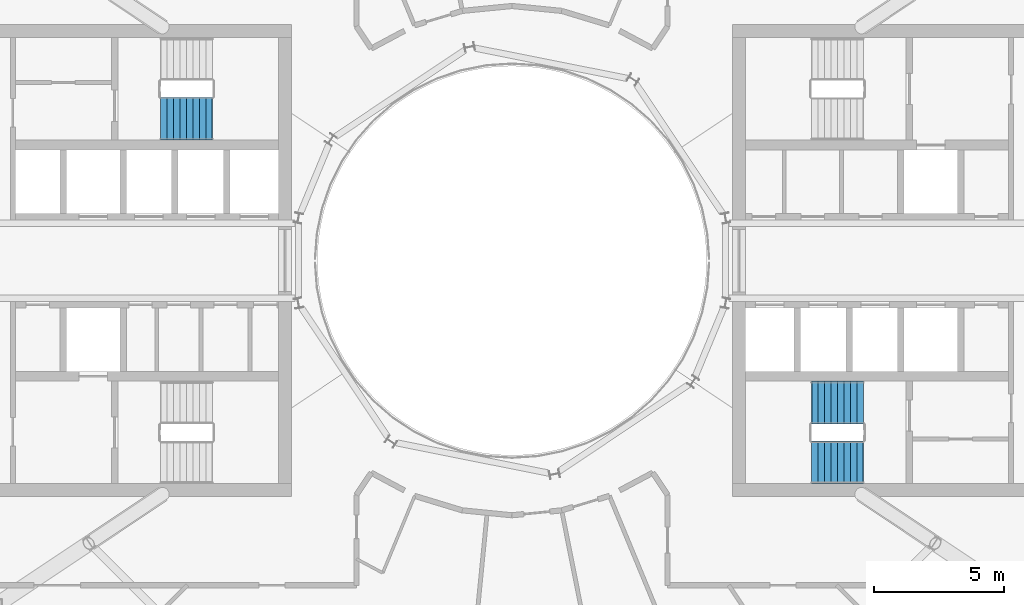
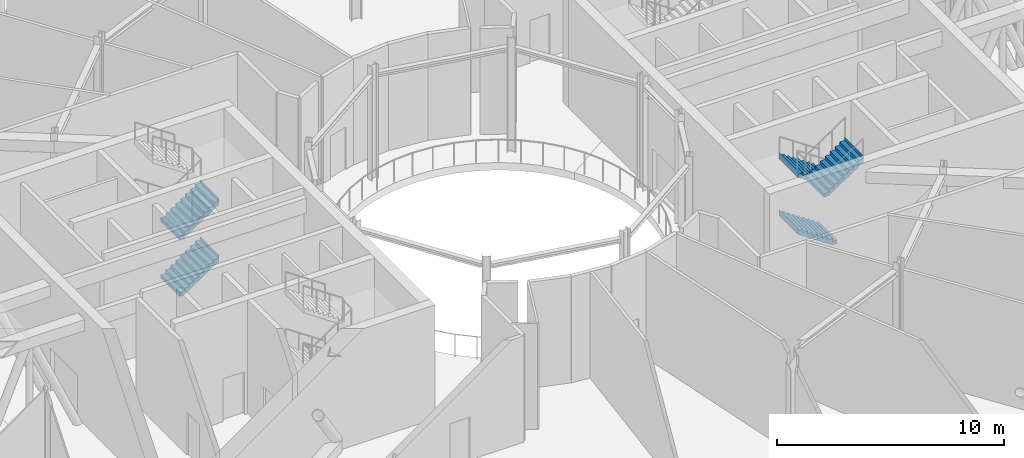
# One storey, part 17 of 24: 5 stair flights, 2 elements without a shape of their own.
"""IFC4 building model written with IfcOpenShell, lengths in metres."""

from ifc_helpers import new_model, si_unit, direction, frame, origin, place, context, subcontext, project, spatial, triangles, material, type_object, element, aggregate, save


model = new_model("IFC4")

# Units and contexts
model_context = context("Model", 3, precision=1e-05, world=origin(), true_north=direction((0.0, 1.0)))
body_context = subcontext(model_context, "Body", "Model", "MODEL_VIEW")
ifc_project = project(units=[si_unit("LENGTHUNIT", "METRE"), si_unit("AREAUNIT", "SQUARE_METRE"), si_unit("VOLUMEUNIT", "CUBIC_METRE"), si_unit("PLANEANGLEUNIT", "RADIAN"), si_unit("MASSUNIT", "GRAM", prefix="KILO")], contexts=[model_context])

# Site, building, storey
site_placement = place(None, origin())
site = spatial("IfcSite", under=ifc_project, at=site_placement, CompositionType="ELEMENT")
building_placement = place(site_placement, origin())
building = spatial("IfcBuilding", under=site, at=building_placement, Name="Maasbend Ring Residences", CompositionType="ELEMENT")
storey_placement = place(building_placement, frame((0.0, 0.0, 179.89990234375)))
storey = spatial("IfcBuildingStorey", under=building, at=storey_placement, Name="L52", CompositionType="ELEMENT", Elevation=179.89990234375)

# Stair, stair flights
ifc_material_1 = material(Name="Concrete C40/50", Category="concrete")
stair_type = type_object("IfcStairType", Name="CORE STAIR 36 RISERS", PredefinedType="HALF_TURN_STAIR", material=ifc_material_1)
stair_1_placement = place(storey_placement, origin())
stair_1 = element("IfcStair", 1, at=stair_1_placement, inside=storey, type_object=stair_type, Name="L52 Exit stair ST-E2", PredefinedType="HALF_TURN_STAIR")
ifc_material_2 = material(Name="Concrete C40/50", Category="concrete")
stair_flight_type = type_object("IfcStairFlightType", Name="CORE STAIR FLIGHT 1650", PredefinedType="STRAIGHT", material=ifc_material_2)
stair_flight_1_placement = place(storey_placement, frame((13.550048828125, -5.47509765625, 0.0), z_axis=(0.0, 0.0, 1.0), x_axis=(-1.0, 0.0, 0.0)))
stair_flight_1 = element("IfcStairFlight", 2, at=stair_flight_1_placement, type_object=stair_flight_type, Name="ST-E2 flight 1", NumberOfRisers=9, NumberOfTreads=8, PredefinedType="STRAIGHT", RiserHeight=0.169444444, TreadLength=0.25, context=body_context, shape_type="Tessellation", body=[
    triangles([(0.24072265625, 0.824951171875, -0.02001953125), (2.0029296875, 0.824951171875, 1.174560546875), (2.0029296875, 0.824951171875, 1.52490234375), (1.989990234375, 0.824951171875, 1.35546875), (1.75, 0.824951171875, 1.35546875), (1.75, 0.824951171875, 1.18603515625), (1.5, 0.824951171875, 1.18603515625), (1.5, 0.824951171875, 1.0166015625), (1.25, 0.824951171875, 1.0166015625), (1.25, 0.824951171875, 0.84716796875), (1.0, 0.824951171875, 0.84716796875), (1.0, 0.824951171875, 0.677734375), (0.75, 0.824951171875, 0.677734375), (0.75, 0.824951171875, 0.50830078125), (0.5, 0.824951171875, 0.50830078125), (0.5, 0.824951171875, 0.3388671875), (0.25, 0.824951171875, 0.3388671875), (0.25, 0.824951171875, 0.16943359375), (0.0, 0.824951171875, 0.16943359375), (0.0, 0.824951171875, 0.0), (-0.0029296875, 0.824951171875, 0.0), (-0.0029296875, 0.824951171875, -0.02001953125), (0.24072265625, 0.27490234375, -0.02001953125), (2.0029296875, 0.27490234375, 1.174560546875), (2.0029296875, 0.27490234375, 1.52490234375), (1.989990234375, 0.27490234375, 1.35546875), (1.75, 0.27490234375, 1.35546875), (1.75, 0.27490234375, 1.18603515625), (1.5, 0.27490234375, 1.18603515625), (1.5, 0.27490234375, 1.0166015625), (1.25, 0.27490234375, 1.0166015625), (1.25, 0.27490234375, 0.84716796875), (1.0, 0.27490234375, 0.84716796875), (1.0, 0.27490234375, 0.677734375), (0.75, 0.27490234375, 0.677734375), (0.75, 0.27490234375, 0.50830078125), (0.5, 0.27490234375, 0.50830078125), (0.5, 0.27490234375, 0.3388671875), (0.25, 0.27490234375, 0.3388671875), (0.25, 0.27490234375, 0.16943359375), (0.0, 0.27490234375, 0.16943359375), (0.0, 0.27490234375, 0.0), (-0.0029296875, 0.27490234375, 0.0), (-0.0029296875, 0.27490234375, -0.02001953125), (0.24072265625, -0.27490234375, -0.02001953125), (2.0029296875, -0.27490234375, 1.174560546875), (2.0029296875, -0.27490234375, 1.52490234375), (1.989990234375, -0.27490234375, 1.35546875), (1.75, -0.27490234375, 1.35546875), (1.75, -0.27490234375, 1.18603515625), (1.5, -0.27490234375, 1.18603515625), (1.5, -0.27490234375, 1.0166015625), (1.25, -0.27490234375, 1.0166015625), (1.25, -0.27490234375, 0.84716796875), (1.0, -0.27490234375, 0.84716796875), (1.0, -0.27490234375, 0.677734375), (0.75, -0.27490234375, 0.677734375), (0.75, -0.27490234375, 0.50830078125), (0.5, -0.27490234375, 0.50830078125), (0.5, -0.27490234375, 0.3388671875), (0.25, -0.27490234375, 0.3388671875), (0.25, -0.27490234375, 0.16943359375), (0.0, -0.27490234375, 0.16943359375), (0.0, -0.27490234375, 0.0), (-0.0029296875, -0.27490234375, 0.0), (-0.0029296875, -0.27490234375, -0.02001953125), (0.24072265625, -0.824951171875, -0.02001953125), (2.0029296875, -0.824951171875, 1.174560546875), (2.0029296875, -0.824951171875, 1.52490234375), (1.989990234375, -0.824951171875, 1.35546875), (1.75, -0.824951171875, 1.35546875), (1.75, -0.824951171875, 1.18603515625), (1.5, -0.824951171875, 1.18603515625), (1.5, -0.824951171875, 1.0166015625), (1.25, -0.824951171875, 1.0166015625), (1.25, -0.824951171875, 0.84716796875), (1.0, -0.824951171875, 0.84716796875), (1.0, -0.824951171875, 0.677734375), (0.75, -0.824951171875, 0.677734375), (0.75, -0.824951171875, 0.50830078125), (0.5, -0.824951171875, 0.50830078125), (0.5, -0.824951171875, 0.3388671875), (0.25, -0.824951171875, 0.3388671875), (0.25, -0.824951171875, 0.16943359375), (0.0, -0.824951171875, 0.16943359375), (0.0, -0.824951171875, 0.0), (-0.0029296875, -0.824951171875, 0.0), (-0.0029296875, -0.824951171875, -0.02001953125)], [[1, 2, 24], [1, 24, 23], [23, 24, 46], [23, 46, 45], [45, 46, 68], [45, 68, 67], [2, 3, 25], [2, 25, 24], [24, 25, 47], [24, 47, 46], [46, 47, 69], [46, 69, 68], [3, 4, 26], [3, 26, 25], [25, 26, 48], [25, 48, 47], [47, 48, 70], [47, 70, 69], [4, 5, 27], [4, 27, 26], [26, 27, 49], [26, 49, 48], [48, 49, 71], [48, 71, 70], [5, 6, 28], [5, 28, 27], [27, 28, 50], [27, 50, 49], [49, 50, 72], [49, 72, 71], [6, 7, 29], [6, 29, 28], [28, 29, 51], [28, 51, 50], [50, 51, 73], [50, 73, 72], [7, 8, 30], [7, 30, 29], [29, 30, 52], [29, 52, 51], [51, 52, 74], [51, 74, 73], [8, 9, 31], [8, 31, 30], [30, 31, 53], [30, 53, 52], [52, 53, 75], [52, 75, 74], [9, 10, 32], [9, 32, 31], [31, 32, 54], [31, 54, 53], [53, 54, 76], [53, 76, 75], [10, 11, 33], [10, 33, 32], [32, 33, 55], [32, 55, 54], [54, 55, 77], [54, 77, 76], [11, 12, 34], [11, 34, 33], [33, 34, 56], [33, 56, 55], [55, 56, 78], [55, 78, 77], [12, 13, 35], [12, 35, 34], [34, 35, 57], [34, 57, 56], [56, 57, 79], [56, 79, 78], [13, 14, 36], [13, 36, 35], [35, 36, 58], [35, 58, 57], [57, 58, 80], [57, 80, 79], [14, 15, 37], [14, 37, 36], [36, 37, 59], [36, 59, 58], [58, 59, 81], [58, 81, 80], [15, 16, 38], [15, 38, 37], [37, 38, 60], [37, 60, 59], [59, 60, 82], [59, 82, 81], [16, 17, 39], [16, 39, 38], [38, 39, 61], [38, 61, 60], [60, 61, 83], [60, 83, 82], [17, 18, 40], [17, 40, 39], [39, 40, 62], [39, 62, 61], [61, 62, 84], [61, 84, 83], [18, 19, 41], [18, 41, 40], [40, 41, 63], [40, 63, 62], [62, 63, 85], [62, 85, 84], [19, 20, 42], [19, 42, 41], [41, 42, 64], [41, 64, 63], [63, 64, 86], [63, 86, 85], [20, 21, 43], [20, 43, 42], [42, 43, 65], [42, 65, 64], [64, 65, 87], [64, 87, 86], [21, 22, 44], [21, 44, 43], [43, 44, 66], [43, 66, 65], [65, 66, 88], [65, 88, 87], [22, 1, 23], [22, 23, 44], [44, 23, 45], [44, 45, 66], [66, 45, 67], [66, 67, 88], [22, 2, 1], [2, 4, 3], [2, 5, 4], [2, 6, 5], [22, 6, 2], [6, 8, 7], [22, 8, 6], [8, 10, 9], [22, 10, 8], [10, 12, 11], [22, 12, 10], [12, 14, 13], [22, 14, 12], [14, 16, 15], [22, 16, 14], [16, 18, 17], [22, 18, 16], [18, 20, 19], [22, 20, 18], [20, 22, 21], [88, 67, 68], [68, 69, 70], [68, 70, 71], [68, 71, 72], [88, 68, 72], [72, 73, 74], [88, 72, 74], [74, 75, 76], [88, 74, 76], [76, 77, 78], [88, 76, 78], [78, 79, 80], [88, 78, 80], [80, 81, 82], [88, 80, 82], [82, 83, 84], [88, 82, 84], [84, 85, 86], [88, 84, 86], [86, 87, 88]], closed=True),
])
stair_flight_2_placement = place(storey_placement, frame((13.550048828125, -5.47509765625, 3.050048828125), z_axis=(0.0, 0.0, 1.0), x_axis=(-1.0, 0.0, 0.0)))
stair_flight_2 = element("IfcStairFlight", 3, at=stair_flight_2_placement, type_object=stair_flight_type, Name="ST-E2 flight 3", NumberOfRisers=9, NumberOfTreads=8, PredefinedType="STRAIGHT", RiserHeight=0.169444444, TreadLength=0.25, context=body_context, shape_type="Tessellation", body=[
    triangles([(0.24072265625, 0.824951171875, -0.02001953125), (2.0029296875, 0.824951171875, 1.174560546875), (2.0029296875, 0.824951171875, 1.52490234375), (1.989990234375, 0.824951171875, 1.35546875), (1.75, 0.824951171875, 1.35546875), (1.75, 0.824951171875, 1.18603515625), (1.5, 0.824951171875, 1.18603515625), (1.5, 0.824951171875, 1.0166015625), (1.25, 0.824951171875, 1.0166015625), (1.25, 0.824951171875, 0.84716796875), (1.0, 0.824951171875, 0.84716796875), (1.0, 0.824951171875, 0.677734375), (0.75, 0.824951171875, 0.677734375), (0.75, 0.824951171875, 0.50830078125), (0.5, 0.824951171875, 0.50830078125), (0.5, 0.824951171875, 0.3388671875), (0.25, 0.824951171875, 0.3388671875), (0.25, 0.824951171875, 0.16943359375), (0.0, 0.824951171875, 0.16943359375), (0.0, 0.824951171875, 0.0), (-0.0029296875, 0.824951171875, 0.0), (-0.0029296875, 0.824951171875, -0.02001953125), (0.24072265625, 0.27490234375, -0.02001953125), (2.0029296875, 0.27490234375, 1.174560546875), (2.0029296875, 0.27490234375, 1.52490234375), (1.989990234375, 0.27490234375, 1.35546875), (1.75, 0.27490234375, 1.35546875), (1.75, 0.27490234375, 1.18603515625), (1.5, 0.27490234375, 1.18603515625), (1.5, 0.27490234375, 1.0166015625), (1.25, 0.27490234375, 1.0166015625), (1.25, 0.27490234375, 0.84716796875), (1.0, 0.27490234375, 0.84716796875), (1.0, 0.27490234375, 0.677734375), (0.75, 0.27490234375, 0.677734375), (0.75, 0.27490234375, 0.50830078125), (0.5, 0.27490234375, 0.50830078125), (0.5, 0.27490234375, 0.3388671875), (0.25, 0.27490234375, 0.3388671875), (0.25, 0.27490234375, 0.16943359375), (0.0, 0.27490234375, 0.16943359375), (0.0, 0.27490234375, 0.0), (-0.0029296875, 0.27490234375, 0.0), (-0.0029296875, 0.27490234375, -0.02001953125), (0.24072265625, -0.27490234375, -0.02001953125), (2.0029296875, -0.27490234375, 1.174560546875), (2.0029296875, -0.27490234375, 1.52490234375), (1.989990234375, -0.27490234375, 1.35546875), (1.75, -0.27490234375, 1.35546875), (1.75, -0.27490234375, 1.18603515625), (1.5, -0.27490234375, 1.18603515625), (1.5, -0.27490234375, 1.0166015625), (1.25, -0.27490234375, 1.0166015625), (1.25, -0.27490234375, 0.84716796875), (1.0, -0.27490234375, 0.84716796875), (1.0, -0.27490234375, 0.677734375), (0.75, -0.27490234375, 0.677734375), (0.75, -0.27490234375, 0.50830078125), (0.5, -0.27490234375, 0.50830078125), (0.5, -0.27490234375, 0.3388671875), (0.25, -0.27490234375, 0.3388671875), (0.25, -0.27490234375, 0.16943359375), (0.0, -0.27490234375, 0.16943359375), (0.0, -0.27490234375, 0.0), (-0.0029296875, -0.27490234375, 0.0), (-0.0029296875, -0.27490234375, -0.02001953125), (0.24072265625, -0.824951171875, -0.02001953125), (2.0029296875, -0.824951171875, 1.174560546875), (2.0029296875, -0.824951171875, 1.52490234375), (1.989990234375, -0.824951171875, 1.35546875), (1.75, -0.824951171875, 1.35546875), (1.75, -0.824951171875, 1.18603515625), (1.5, -0.824951171875, 1.18603515625), (1.5, -0.824951171875, 1.0166015625), (1.25, -0.824951171875, 1.0166015625), (1.25, -0.824951171875, 0.84716796875), (1.0, -0.824951171875, 0.84716796875), (1.0, -0.824951171875, 0.677734375), (0.75, -0.824951171875, 0.677734375), (0.75, -0.824951171875, 0.50830078125), (0.5, -0.824951171875, 0.50830078125), (0.5, -0.824951171875, 0.3388671875), (0.25, -0.824951171875, 0.3388671875), (0.25, -0.824951171875, 0.16943359375), (0.0, -0.824951171875, 0.16943359375), (0.0, -0.824951171875, 0.0), (-0.0029296875, -0.824951171875, 0.0), (-0.0029296875, -0.824951171875, -0.02001953125)], [[1, 2, 24], [1, 24, 23], [23, 24, 46], [23, 46, 45], [45, 46, 68], [45, 68, 67], [2, 3, 25], [2, 25, 24], [24, 25, 47], [24, 47, 46], [46, 47, 69], [46, 69, 68], [3, 4, 26], [3, 26, 25], [25, 26, 48], [25, 48, 47], [47, 48, 70], [47, 70, 69], [4, 5, 27], [4, 27, 26], [26, 27, 49], [26, 49, 48], [48, 49, 71], [48, 71, 70], [5, 6, 28], [5, 28, 27], [27, 28, 50], [27, 50, 49], [49, 50, 72], [49, 72, 71], [6, 7, 29], [6, 29, 28], [28, 29, 51], [28, 51, 50], [50, 51, 73], [50, 73, 72], [7, 8, 30], [7, 30, 29], [29, 30, 52], [29, 52, 51], [51, 52, 74], [51, 74, 73], [8, 9, 31], [8, 31, 30], [30, 31, 53], [30, 53, 52], [52, 53, 75], [52, 75, 74], [9, 10, 32], [9, 32, 31], [31, 32, 54], [31, 54, 53], [53, 54, 76], [53, 76, 75], [10, 11, 33], [10, 33, 32], [32, 33, 55], [32, 55, 54], [54, 55, 77], [54, 77, 76], [11, 12, 34], [11, 34, 33], [33, 34, 56], [33, 56, 55], [55, 56, 78], [55, 78, 77], [12, 13, 35], [12, 35, 34], [34, 35, 57], [34, 57, 56], [56, 57, 79], [56, 79, 78], [13, 14, 36], [13, 36, 35], [35, 36, 58], [35, 58, 57], [57, 58, 80], [57, 80, 79], [14, 15, 37], [14, 37, 36], [36, 37, 59], [36, 59, 58], [58, 59, 81], [58, 81, 80], [15, 16, 38], [15, 38, 37], [37, 38, 60], [37, 60, 59], [59, 60, 82], [59, 82, 81], [16, 17, 39], [16, 39, 38], [38, 39, 61], [38, 61, 60], [60, 61, 83], [60, 83, 82], [17, 18, 40], [17, 40, 39], [39, 40, 62], [39, 62, 61], [61, 62, 84], [61, 84, 83], [18, 19, 41], [18, 41, 40], [40, 41, 63], [40, 63, 62], [62, 63, 85], [62, 85, 84], [19, 20, 42], [19, 42, 41], [41, 42, 64], [41, 64, 63], [63, 64, 86], [63, 86, 85], [20, 21, 43], [20, 43, 42], [42, 43, 65], [42, 65, 64], [64, 65, 87], [64, 87, 86], [21, 22, 44], [21, 44, 43], [43, 44, 66], [43, 66, 65], [65, 66, 88], [65, 88, 87], [22, 1, 23], [22, 23, 44], [44, 23, 45], [44, 45, 66], [66, 45, 67], [66, 67, 88], [22, 2, 1], [2, 4, 3], [2, 5, 4], [2, 6, 5], [22, 6, 2], [6, 8, 7], [22, 8, 6], [8, 10, 9], [22, 10, 8], [10, 12, 11], [22, 12, 10], [12, 14, 13], [22, 14, 12], [14, 16, 15], [22, 16, 14], [16, 18, 17], [22, 18, 16], [18, 20, 19], [22, 20, 18], [20, 22, 21], [88, 67, 68], [68, 69, 70], [68, 70, 71], [68, 71, 72], [88, 68, 72], [72, 73, 74], [88, 72, 74], [74, 75, 76], [88, 74, 76], [76, 77, 78], [88, 76, 78], [78, 79, 80], [88, 78, 80], [80, 81, 82], [88, 80, 82], [82, 83, 84], [88, 82, 84], [84, 85, 86], [88, 84, 86], [86, 87, 88]], closed=True),
])
stair_flight_3_placement = place(storey_placement, frame((11.550048828125, -7.77490234375, 4.5751953125), z_axis=(0.0, 0.0, 1.0), x_axis=(1.0, 0.0, 0.0)))
stair_flight_3 = element("IfcStairFlight", 4, at=stair_flight_3_placement, type_object=stair_flight_type, Name="ST-E2 flight 4", NumberOfRisers=9, NumberOfTreads=8, PredefinedType="STRAIGHT", RiserHeight=0.169444444, TreadLength=0.25, context=body_context, shape_type="Tessellation", body=[
    triangles([(0.24072265625, 0.824951171875, -0.02001953125), (2.0029296875, 0.824951171875, 1.174560546875), (2.0029296875, 0.824951171875, 1.52490234375), (1.989990234375, 0.824951171875, 1.35546875), (1.75, 0.824951171875, 1.35546875), (1.75, 0.824951171875, 1.18603515625), (1.5, 0.824951171875, 1.18603515625), (1.5, 0.824951171875, 1.0166015625), (1.25, 0.824951171875, 1.0166015625), (1.25, 0.824951171875, 0.84716796875), (1.0, 0.824951171875, 0.84716796875), (1.0, 0.824951171875, 0.677734375), (0.75, 0.824951171875, 0.677734375), (0.75, 0.824951171875, 0.50830078125), (0.5, 0.824951171875, 0.50830078125), (0.5, 0.824951171875, 0.3388671875), (0.25, 0.824951171875, 0.3388671875), (0.25, 0.824951171875, 0.16943359375), (0.0, 0.824951171875, 0.16943359375), (0.0, 0.824951171875, 0.0), (-0.0029296875, 0.824951171875, 0.0), (-0.0029296875, 0.824951171875, -0.02001953125), (0.24072265625, 0.27490234375, -0.02001953125), (2.0029296875, 0.27490234375, 1.174560546875), (2.0029296875, 0.27490234375, 1.52490234375), (1.989990234375, 0.27490234375, 1.35546875), (1.75, 0.27490234375, 1.35546875), (1.75, 0.27490234375, 1.18603515625), (1.5, 0.27490234375, 1.18603515625), (1.5, 0.27490234375, 1.0166015625), (1.25, 0.27490234375, 1.0166015625), (1.25, 0.27490234375, 0.84716796875), (1.0, 0.27490234375, 0.84716796875), (1.0, 0.27490234375, 0.677734375), (0.75, 0.27490234375, 0.677734375), (0.75, 0.27490234375, 0.50830078125), (0.5, 0.27490234375, 0.50830078125), (0.5, 0.27490234375, 0.3388671875), (0.25, 0.27490234375, 0.3388671875), (0.25, 0.27490234375, 0.16943359375), (0.0, 0.27490234375, 0.16943359375), (0.0, 0.27490234375, 0.0), (-0.0029296875, 0.27490234375, 0.0), (-0.0029296875, 0.27490234375, -0.02001953125), (0.24072265625, -0.27490234375, -0.02001953125), (2.0029296875, -0.27490234375, 1.174560546875), (2.0029296875, -0.27490234375, 1.52490234375), (1.989990234375, -0.27490234375, 1.35546875), (1.75, -0.27490234375, 1.35546875), (1.75, -0.27490234375, 1.18603515625), (1.5, -0.27490234375, 1.18603515625), (1.5, -0.27490234375, 1.0166015625), (1.25, -0.27490234375, 1.0166015625), (1.25, -0.27490234375, 0.84716796875), (1.0, -0.27490234375, 0.84716796875), (1.0, -0.27490234375, 0.677734375), (0.75, -0.27490234375, 0.677734375), (0.75, -0.27490234375, 0.50830078125), (0.5, -0.27490234375, 0.50830078125), (0.5, -0.27490234375, 0.3388671875), (0.25, -0.27490234375, 0.3388671875), (0.25, -0.27490234375, 0.16943359375), (0.0, -0.27490234375, 0.16943359375), (0.0, -0.27490234375, 0.0), (-0.0029296875, -0.27490234375, 0.0), (-0.0029296875, -0.27490234375, -0.02001953125), (0.24072265625, -0.824951171875, -0.02001953125), (2.0029296875, -0.824951171875, 1.174560546875), (2.0029296875, -0.824951171875, 1.52490234375), (1.989990234375, -0.824951171875, 1.35546875), (1.75, -0.824951171875, 1.35546875), (1.75, -0.824951171875, 1.18603515625), (1.5, -0.824951171875, 1.18603515625), (1.5, -0.824951171875, 1.0166015625), (1.25, -0.824951171875, 1.0166015625), (1.25, -0.824951171875, 0.84716796875), (1.0, -0.824951171875, 0.84716796875), (1.0, -0.824951171875, 0.677734375), (0.75, -0.824951171875, 0.677734375), (0.75, -0.824951171875, 0.50830078125), (0.5, -0.824951171875, 0.50830078125), (0.5, -0.824951171875, 0.3388671875), (0.25, -0.824951171875, 0.3388671875), (0.25, -0.824951171875, 0.16943359375), (0.0, -0.824951171875, 0.16943359375), (0.0, -0.824951171875, 0.0), (-0.0029296875, -0.824951171875, 0.0), (-0.0029296875, -0.824951171875, -0.02001953125)], [[1, 2, 24], [1, 24, 23], [23, 24, 46], [23, 46, 45], [45, 46, 68], [45, 68, 67], [2, 3, 25], [2, 25, 24], [24, 25, 47], [24, 47, 46], [46, 47, 69], [46, 69, 68], [3, 4, 26], [3, 26, 25], [25, 26, 48], [25, 48, 47], [47, 48, 70], [47, 70, 69], [4, 5, 27], [4, 27, 26], [26, 27, 49], [26, 49, 48], [48, 49, 71], [48, 71, 70], [5, 6, 28], [5, 28, 27], [27, 28, 50], [27, 50, 49], [49, 50, 72], [49, 72, 71], [6, 7, 29], [6, 29, 28], [28, 29, 51], [28, 51, 50], [50, 51, 73], [50, 73, 72], [7, 8, 30], [7, 30, 29], [29, 30, 52], [29, 52, 51], [51, 52, 74], [51, 74, 73], [8, 9, 31], [8, 31, 30], [30, 31, 53], [30, 53, 52], [52, 53, 75], [52, 75, 74], [9, 10, 32], [9, 32, 31], [31, 32, 54], [31, 54, 53], [53, 54, 76], [53, 76, 75], [10, 11, 33], [10, 33, 32], [32, 33, 55], [32, 55, 54], [54, 55, 77], [54, 77, 76], [11, 12, 34], [11, 34, 33], [33, 34, 56], [33, 56, 55], [55, 56, 78], [55, 78, 77], [12, 13, 35], [12, 35, 34], [34, 35, 57], [34, 57, 56], [56, 57, 79], [56, 79, 78], [13, 14, 36], [13, 36, 35], [35, 36, 58], [35, 58, 57], [57, 58, 80], [57, 80, 79], [14, 15, 37], [14, 37, 36], [36, 37, 59], [36, 59, 58], [58, 59, 81], [58, 81, 80], [15, 16, 38], [15, 38, 37], [37, 38, 60], [37, 60, 59], [59, 60, 82], [59, 82, 81], [16, 17, 39], [16, 39, 38], [38, 39, 61], [38, 61, 60], [60, 61, 83], [60, 83, 82], [17, 18, 40], [17, 40, 39], [39, 40, 62], [39, 62, 61], [61, 62, 84], [61, 84, 83], [18, 19, 41], [18, 41, 40], [40, 41, 63], [40, 63, 62], [62, 63, 85], [62, 85, 84], [19, 20, 42], [19, 42, 41], [41, 42, 64], [41, 64, 63], [63, 64, 86], [63, 86, 85], [20, 21, 43], [20, 43, 42], [42, 43, 65], [42, 65, 64], [64, 65, 87], [64, 87, 86], [21, 22, 44], [21, 44, 43], [43, 44, 66], [43, 66, 65], [65, 66, 88], [65, 88, 87], [22, 1, 23], [22, 23, 44], [44, 23, 45], [44, 45, 66], [66, 45, 67], [66, 67, 88], [22, 2, 1], [2, 4, 3], [2, 5, 4], [2, 6, 5], [22, 6, 2], [6, 8, 7], [22, 8, 6], [8, 10, 9], [22, 10, 8], [10, 12, 11], [22, 12, 10], [12, 14, 13], [22, 14, 12], [14, 16, 15], [22, 16, 14], [16, 18, 17], [22, 18, 16], [18, 20, 19], [22, 20, 18], [20, 22, 21], [88, 67, 68], [68, 69, 70], [68, 70, 71], [68, 71, 72], [88, 68, 72], [72, 73, 74], [88, 72, 74], [74, 75, 76], [88, 74, 76], [76, 77, 78], [88, 76, 78], [78, 79, 80], [88, 78, 80], [80, 81, 82], [88, 80, 82], [82, 83, 84], [88, 82, 84], [84, 85, 86], [88, 84, 86], [86, 87, 88]], closed=True),
])
aggregate(stair_1, [stair_flight_1, stair_flight_2, stair_flight_3])

stair_2_placement = place(storey_placement, origin())
stair_2 = element("IfcStair", 5, at=stair_2_placement, inside=storey, type_object=stair_type, Name="L52 Exit stair ST-W2", PredefinedType="HALF_TURN_STAIR")
stair_flight_4_placement = place(storey_placement, frame((-13.550048828125, 5.47509765625, 0.0), z_axis=(0.0, 0.0, 1.0), x_axis=(1.0, 0.0, 0.0)))
stair_flight_4 = element("IfcStairFlight", 6, at=stair_flight_4_placement, type_object=stair_flight_type, Name="ST-W2 flight 1", NumberOfRisers=9, NumberOfTreads=8, PredefinedType="STRAIGHT", RiserHeight=0.169444444, TreadLength=0.25, context=body_context, shape_type="Tessellation", body=[
    triangles([(0.24072265625, 0.824951171875, -0.02001953125), (2.0029296875, 0.824951171875, 1.174560546875), (2.0029296875, 0.824951171875, 1.52490234375), (1.989990234375, 0.824951171875, 1.35546875), (1.75, 0.824951171875, 1.35546875), (1.75, 0.824951171875, 1.18603515625), (1.5, 0.824951171875, 1.18603515625), (1.5, 0.824951171875, 1.0166015625), (1.25, 0.824951171875, 1.0166015625), (1.25, 0.824951171875, 0.84716796875), (1.0, 0.824951171875, 0.84716796875), (1.0, 0.824951171875, 0.677734375), (0.75, 0.824951171875, 0.677734375), (0.75, 0.824951171875, 0.50830078125), (0.5, 0.824951171875, 0.50830078125), (0.5, 0.824951171875, 0.3388671875), (0.25, 0.824951171875, 0.3388671875), (0.25, 0.824951171875, 0.16943359375), (0.0, 0.824951171875, 0.16943359375), (0.0, 0.824951171875, 0.0), (-0.0029296875, 0.824951171875, 0.0), (-0.0029296875, 0.824951171875, -0.02001953125), (0.24072265625, 0.27490234375, -0.02001953125), (2.0029296875, 0.27490234375, 1.174560546875), (2.0029296875, 0.27490234375, 1.52490234375), (1.989990234375, 0.27490234375, 1.35546875), (1.75, 0.27490234375, 1.35546875), (1.75, 0.27490234375, 1.18603515625), (1.5, 0.27490234375, 1.18603515625), (1.5, 0.27490234375, 1.0166015625), (1.25, 0.27490234375, 1.0166015625), (1.25, 0.27490234375, 0.84716796875), (1.0, 0.27490234375, 0.84716796875), (1.0, 0.27490234375, 0.677734375), (0.75, 0.27490234375, 0.677734375), (0.75, 0.27490234375, 0.50830078125), (0.5, 0.27490234375, 0.50830078125), (0.5, 0.27490234375, 0.3388671875), (0.25, 0.27490234375, 0.3388671875), (0.25, 0.27490234375, 0.16943359375), (0.0, 0.27490234375, 0.16943359375), (0.0, 0.27490234375, 0.0), (-0.0029296875, 0.27490234375, 0.0), (-0.0029296875, 0.27490234375, -0.02001953125), (0.24072265625, -0.27490234375, -0.02001953125), (2.0029296875, -0.27490234375, 1.174560546875), (2.0029296875, -0.27490234375, 1.52490234375), (1.989990234375, -0.27490234375, 1.35546875), (1.75, -0.27490234375, 1.35546875), (1.75, -0.27490234375, 1.18603515625), (1.5, -0.27490234375, 1.18603515625), (1.5, -0.27490234375, 1.0166015625), (1.25, -0.27490234375, 1.0166015625), (1.25, -0.27490234375, 0.84716796875), (1.0, -0.27490234375, 0.84716796875), (1.0, -0.27490234375, 0.677734375), (0.75, -0.27490234375, 0.677734375), (0.75, -0.27490234375, 0.50830078125), (0.5, -0.27490234375, 0.50830078125), (0.5, -0.27490234375, 0.3388671875), (0.25, -0.27490234375, 0.3388671875), (0.25, -0.27490234375, 0.16943359375), (0.0, -0.27490234375, 0.16943359375), (0.0, -0.27490234375, 0.0), (-0.0029296875, -0.27490234375, 0.0), (-0.0029296875, -0.27490234375, -0.02001953125), (0.24072265625, -0.824951171875, -0.02001953125), (2.0029296875, -0.824951171875, 1.174560546875), (2.0029296875, -0.824951171875, 1.52490234375), (1.989990234375, -0.824951171875, 1.35546875), (1.75, -0.824951171875, 1.35546875), (1.75, -0.824951171875, 1.18603515625), (1.5, -0.824951171875, 1.18603515625), (1.5, -0.824951171875, 1.0166015625), (1.25, -0.824951171875, 1.0166015625), (1.25, -0.824951171875, 0.84716796875), (1.0, -0.824951171875, 0.84716796875), (1.0, -0.824951171875, 0.677734375), (0.75, -0.824951171875, 0.677734375), (0.75, -0.824951171875, 0.50830078125), (0.5, -0.824951171875, 0.50830078125), (0.5, -0.824951171875, 0.3388671875), (0.25, -0.824951171875, 0.3388671875), (0.25, -0.824951171875, 0.16943359375), (0.0, -0.824951171875, 0.16943359375), (0.0, -0.824951171875, 0.0), (-0.0029296875, -0.824951171875, 0.0), (-0.0029296875, -0.824951171875, -0.02001953125)], [[1, 2, 24], [1, 24, 23], [23, 24, 46], [23, 46, 45], [45, 46, 68], [45, 68, 67], [2, 3, 25], [2, 25, 24], [24, 25, 47], [24, 47, 46], [46, 47, 69], [46, 69, 68], [3, 4, 26], [3, 26, 25], [25, 26, 48], [25, 48, 47], [47, 48, 70], [47, 70, 69], [4, 5, 27], [4, 27, 26], [26, 27, 49], [26, 49, 48], [48, 49, 71], [48, 71, 70], [5, 6, 28], [5, 28, 27], [27, 28, 50], [27, 50, 49], [49, 50, 72], [49, 72, 71], [6, 7, 29], [6, 29, 28], [28, 29, 51], [28, 51, 50], [50, 51, 73], [50, 73, 72], [7, 8, 30], [7, 30, 29], [29, 30, 52], [29, 52, 51], [51, 52, 74], [51, 74, 73], [8, 9, 31], [8, 31, 30], [30, 31, 53], [30, 53, 52], [52, 53, 75], [52, 75, 74], [9, 10, 32], [9, 32, 31], [31, 32, 54], [31, 54, 53], [53, 54, 76], [53, 76, 75], [10, 11, 33], [10, 33, 32], [32, 33, 55], [32, 55, 54], [54, 55, 77], [54, 77, 76], [11, 12, 34], [11, 34, 33], [33, 34, 56], [33, 56, 55], [55, 56, 78], [55, 78, 77], [12, 13, 35], [12, 35, 34], [34, 35, 57], [34, 57, 56], [56, 57, 79], [56, 79, 78], [13, 14, 36], [13, 36, 35], [35, 36, 58], [35, 58, 57], [57, 58, 80], [57, 80, 79], [14, 15, 37], [14, 37, 36], [36, 37, 59], [36, 59, 58], [58, 59, 81], [58, 81, 80], [15, 16, 38], [15, 38, 37], [37, 38, 60], [37, 60, 59], [59, 60, 82], [59, 82, 81], [16, 17, 39], [16, 39, 38], [38, 39, 61], [38, 61, 60], [60, 61, 83], [60, 83, 82], [17, 18, 40], [17, 40, 39], [39, 40, 62], [39, 62, 61], [61, 62, 84], [61, 84, 83], [18, 19, 41], [18, 41, 40], [40, 41, 63], [40, 63, 62], [62, 63, 85], [62, 85, 84], [19, 20, 42], [19, 42, 41], [41, 42, 64], [41, 64, 63], [63, 64, 86], [63, 86, 85], [20, 21, 43], [20, 43, 42], [42, 43, 65], [42, 65, 64], [64, 65, 87], [64, 87, 86], [21, 22, 44], [21, 44, 43], [43, 44, 66], [43, 66, 65], [65, 66, 88], [65, 88, 87], [22, 1, 23], [22, 23, 44], [44, 23, 45], [44, 45, 66], [66, 45, 67], [66, 67, 88], [22, 2, 1], [2, 4, 3], [2, 5, 4], [2, 6, 5], [22, 6, 2], [6, 8, 7], [22, 8, 6], [8, 10, 9], [22, 10, 8], [10, 12, 11], [22, 12, 10], [12, 14, 13], [22, 14, 12], [14, 16, 15], [22, 16, 14], [16, 18, 17], [22, 18, 16], [18, 20, 19], [22, 20, 18], [20, 22, 21], [88, 67, 68], [68, 69, 70], [68, 70, 71], [68, 71, 72], [88, 68, 72], [72, 73, 74], [88, 72, 74], [74, 75, 76], [88, 74, 76], [76, 77, 78], [88, 76, 78], [78, 79, 80], [88, 78, 80], [80, 81, 82], [88, 80, 82], [82, 83, 84], [88, 82, 84], [84, 85, 86], [88, 84, 86], [86, 87, 88]], closed=True),
])
stair_flight_5_placement = place(storey_placement, frame((-13.550048828125, 5.47509765625, 3.050048828125), z_axis=(0.0, 0.0, 1.0), x_axis=(1.0, 0.0, 0.0)))
stair_flight_5 = element("IfcStairFlight", 7, at=stair_flight_5_placement, type_object=stair_flight_type, Name="ST-W2 flight 3", NumberOfRisers=9, NumberOfTreads=8, PredefinedType="STRAIGHT", RiserHeight=0.169444444, TreadLength=0.25, context=body_context, shape_type="Tessellation", body=[
    triangles([(0.24072265625, 0.824951171875, -0.02001953125), (2.0029296875, 0.824951171875, 1.174560546875), (2.0029296875, 0.824951171875, 1.52490234375), (1.989990234375, 0.824951171875, 1.35546875), (1.75, 0.824951171875, 1.35546875), (1.75, 0.824951171875, 1.18603515625), (1.5, 0.824951171875, 1.18603515625), (1.5, 0.824951171875, 1.0166015625), (1.25, 0.824951171875, 1.0166015625), (1.25, 0.824951171875, 0.84716796875), (1.0, 0.824951171875, 0.84716796875), (1.0, 0.824951171875, 0.677734375), (0.75, 0.824951171875, 0.677734375), (0.75, 0.824951171875, 0.50830078125), (0.5, 0.824951171875, 0.50830078125), (0.5, 0.824951171875, 0.3388671875), (0.25, 0.824951171875, 0.3388671875), (0.25, 0.824951171875, 0.16943359375), (0.0, 0.824951171875, 0.16943359375), (0.0, 0.824951171875, 0.0), (-0.0029296875, 0.824951171875, 0.0), (-0.0029296875, 0.824951171875, -0.02001953125), (0.24072265625, 0.27490234375, -0.02001953125), (2.0029296875, 0.27490234375, 1.174560546875), (2.0029296875, 0.27490234375, 1.52490234375), (1.989990234375, 0.27490234375, 1.35546875), (1.75, 0.27490234375, 1.35546875), (1.75, 0.27490234375, 1.18603515625), (1.5, 0.27490234375, 1.18603515625), (1.5, 0.27490234375, 1.0166015625), (1.25, 0.27490234375, 1.0166015625), (1.25, 0.27490234375, 0.84716796875), (1.0, 0.27490234375, 0.84716796875), (1.0, 0.27490234375, 0.677734375), (0.75, 0.27490234375, 0.677734375), (0.75, 0.27490234375, 0.50830078125), (0.5, 0.27490234375, 0.50830078125), (0.5, 0.27490234375, 0.3388671875), (0.25, 0.27490234375, 0.3388671875), (0.25, 0.27490234375, 0.16943359375), (0.0, 0.27490234375, 0.16943359375), (0.0, 0.27490234375, 0.0), (-0.0029296875, 0.27490234375, 0.0), (-0.0029296875, 0.27490234375, -0.02001953125), (0.24072265625, -0.27490234375, -0.02001953125), (2.0029296875, -0.27490234375, 1.174560546875), (2.0029296875, -0.27490234375, 1.52490234375), (1.989990234375, -0.27490234375, 1.35546875), (1.75, -0.27490234375, 1.35546875), (1.75, -0.27490234375, 1.18603515625), (1.5, -0.27490234375, 1.18603515625), (1.5, -0.27490234375, 1.0166015625), (1.25, -0.27490234375, 1.0166015625), (1.25, -0.27490234375, 0.84716796875), (1.0, -0.27490234375, 0.84716796875), (1.0, -0.27490234375, 0.677734375), (0.75, -0.27490234375, 0.677734375), (0.75, -0.27490234375, 0.50830078125), (0.5, -0.27490234375, 0.50830078125), (0.5, -0.27490234375, 0.3388671875), (0.25, -0.27490234375, 0.3388671875), (0.25, -0.27490234375, 0.16943359375), (0.0, -0.27490234375, 0.16943359375), (0.0, -0.27490234375, 0.0), (-0.0029296875, -0.27490234375, 0.0), (-0.0029296875, -0.27490234375, -0.02001953125), (0.24072265625, -0.824951171875, -0.02001953125), (2.0029296875, -0.824951171875, 1.174560546875), (2.0029296875, -0.824951171875, 1.52490234375), (1.989990234375, -0.824951171875, 1.35546875), (1.75, -0.824951171875, 1.35546875), (1.75, -0.824951171875, 1.18603515625), (1.5, -0.824951171875, 1.18603515625), (1.5, -0.824951171875, 1.0166015625), (1.25, -0.824951171875, 1.0166015625), (1.25, -0.824951171875, 0.84716796875), (1.0, -0.824951171875, 0.84716796875), (1.0, -0.824951171875, 0.677734375), (0.75, -0.824951171875, 0.677734375), (0.75, -0.824951171875, 0.50830078125), (0.5, -0.824951171875, 0.50830078125), (0.5, -0.824951171875, 0.3388671875), (0.25, -0.824951171875, 0.3388671875), (0.25, -0.824951171875, 0.16943359375), (0.0, -0.824951171875, 0.16943359375), (0.0, -0.824951171875, 0.0), (-0.0029296875, -0.824951171875, 0.0), (-0.0029296875, -0.824951171875, -0.02001953125)], [[1, 2, 24], [1, 24, 23], [23, 24, 46], [23, 46, 45], [45, 46, 68], [45, 68, 67], [2, 3, 25], [2, 25, 24], [24, 25, 47], [24, 47, 46], [46, 47, 69], [46, 69, 68], [3, 4, 26], [3, 26, 25], [25, 26, 48], [25, 48, 47], [47, 48, 70], [47, 70, 69], [4, 5, 27], [4, 27, 26], [26, 27, 49], [26, 49, 48], [48, 49, 71], [48, 71, 70], [5, 6, 28], [5, 28, 27], [27, 28, 50], [27, 50, 49], [49, 50, 72], [49, 72, 71], [6, 7, 29], [6, 29, 28], [28, 29, 51], [28, 51, 50], [50, 51, 73], [50, 73, 72], [7, 8, 30], [7, 30, 29], [29, 30, 52], [29, 52, 51], [51, 52, 74], [51, 74, 73], [8, 9, 31], [8, 31, 30], [30, 31, 53], [30, 53, 52], [52, 53, 75], [52, 75, 74], [9, 10, 32], [9, 32, 31], [31, 32, 54], [31, 54, 53], [53, 54, 76], [53, 76, 75], [10, 11, 33], [10, 33, 32], [32, 33, 55], [32, 55, 54], [54, 55, 77], [54, 77, 76], [11, 12, 34], [11, 34, 33], [33, 34, 56], [33, 56, 55], [55, 56, 78], [55, 78, 77], [12, 13, 35], [12, 35, 34], [34, 35, 57], [34, 57, 56], [56, 57, 79], [56, 79, 78], [13, 14, 36], [13, 36, 35], [35, 36, 58], [35, 58, 57], [57, 58, 80], [57, 80, 79], [14, 15, 37], [14, 37, 36], [36, 37, 59], [36, 59, 58], [58, 59, 81], [58, 81, 80], [15, 16, 38], [15, 38, 37], [37, 38, 60], [37, 60, 59], [59, 60, 82], [59, 82, 81], [16, 17, 39], [16, 39, 38], [38, 39, 61], [38, 61, 60], [60, 61, 83], [60, 83, 82], [17, 18, 40], [17, 40, 39], [39, 40, 62], [39, 62, 61], [61, 62, 84], [61, 84, 83], [18, 19, 41], [18, 41, 40], [40, 41, 63], [40, 63, 62], [62, 63, 85], [62, 85, 84], [19, 20, 42], [19, 42, 41], [41, 42, 64], [41, 64, 63], [63, 64, 86], [63, 86, 85], [20, 21, 43], [20, 43, 42], [42, 43, 65], [42, 65, 64], [64, 65, 87], [64, 87, 86], [21, 22, 44], [21, 44, 43], [43, 44, 66], [43, 66, 65], [65, 66, 88], [65, 88, 87], [22, 1, 23], [22, 23, 44], [44, 23, 45], [44, 45, 66], [66, 45, 67], [66, 67, 88], [22, 2, 1], [2, 4, 3], [2, 5, 4], [2, 6, 5], [22, 6, 2], [6, 8, 7], [22, 8, 6], [8, 10, 9], [22, 10, 8], [10, 12, 11], [22, 12, 10], [12, 14, 13], [22, 14, 12], [14, 16, 15], [22, 16, 14], [16, 18, 17], [22, 18, 16], [18, 20, 19], [22, 20, 18], [20, 22, 21], [88, 67, 68], [68, 69, 70], [68, 70, 71], [68, 71, 72], [88, 68, 72], [72, 73, 74], [88, 72, 74], [74, 75, 76], [88, 74, 76], [76, 77, 78], [88, 76, 78], [78, 79, 80], [88, 78, 80], [80, 81, 82], [88, 80, 82], [82, 83, 84], [88, 82, 84], [84, 85, 86], [88, 84, 86], [86, 87, 88]], closed=True),
])
aggregate(stair_2, [stair_flight_4, stair_flight_5])

save(model, "model.ifc")
